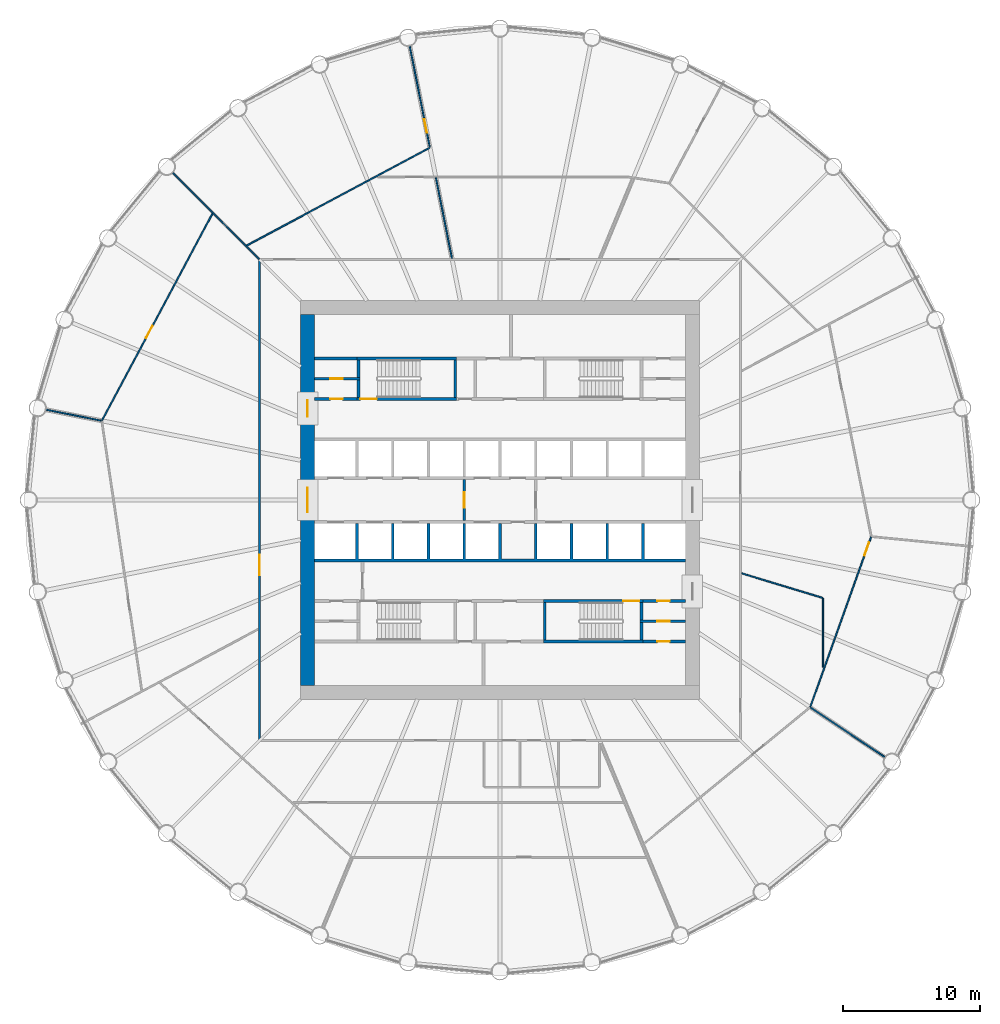
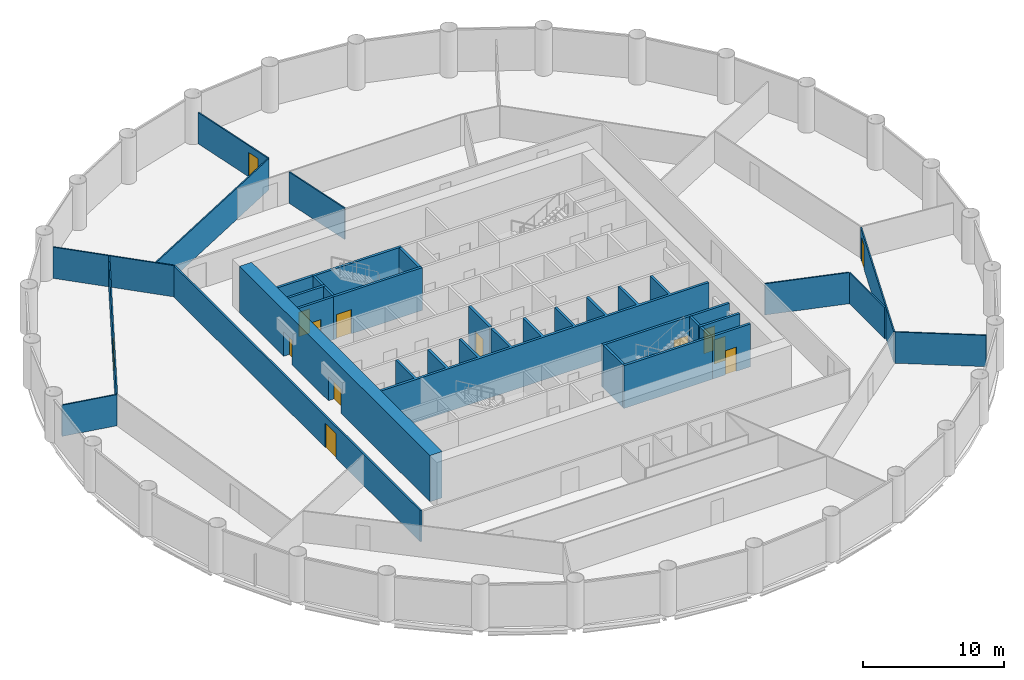
# One storey, part 5 of 8: 30 walls, 14 doors, 14 openings.
"""IFC4 building model written with IfcOpenShell, lengths in metres."""

import ifcopenshell
import ifcopenshell.guid

model = None  # the IFC model being written
_history = None  # IfcOwnerHistory: only IFC2X3 demands one
_inside = {}  # id of a spatial element -> (the spatial element, [elements in it])
_under = {}  # id of a project, library or spatial element -> (it, [spatial elements below it])
_declared = {}  # id of a project -> (the project, [libraries it declares])
_typed = {}  # id of a type object -> (the type object, [elements of that type])
_made_of = {}  # id of a material, layer set ... -> (it, [elements and type objects made of it])


def new_model(schema):
    """Start an empty IFC model of exactly this schema.

    Asked for "IFC4X3", IfcOpenShell would pick the latest addendum, in which some entities
    have other attributes; the version numbers below select the first issue.
    IFC2X3 requires an IfcOwnerHistory on every rooted entity: one is made here for all.
    """
    global model, _history
    if schema == "IFC4X3":
        model = ifcopenshell.file(schema_version=(4, 3, 0, 0))
    else:
        model = ifcopenshell.file(schema=schema)
    _inside.clear()
    _under.clear()
    _declared.clear()
    _typed.clear()
    _made_of.clear()
    _history = None
    if model.schema == "IFC2X3":
        org = make("IfcOrganization", Name="unknown")
        user = make(
            "IfcPersonAndOrganization",
            ThePerson=make("IfcPerson", FamilyName="unknown"),
            TheOrganization=org,
        )
        app = make(
            "IfcApplication",
            ApplicationDeveloper=org,
            Version="unknown",
            ApplicationFullName="unknown",
            ApplicationIdentifier="unknown",
        )
        _history = make(
            "IfcOwnerHistory",
            OwningUser=user,
            OwningApplication=app,
            ChangeAction="ADDED",
            CreationDate=0,
        )
    return model


def make(cls, **values):
    """One entity of the class cls with the attributes given. An attribute that is None is left unset."""
    return model.create_entity(
        cls, **{name: value for name, value in values.items() if value is not None}
    )


def rooted(cls, **values):
    """An entity with a GlobalId (a new one), such as an element, a storey or a relation."""
    return make(cls, GlobalId=ifcopenshell.guid.new(), OwnerHistory=_history, **values)


def si_unit(unit_type, name, prefix=None):
    """IfcSIUnit, for example si_unit("LENGTHUNIT", "METRE", prefix="MILLI")."""
    return make("IfcSIUnit", UnitType=unit_type, Prefix=prefix, Name=name)


def assignment(units):
    """IfcUnitAssignment: the units of a project."""
    return None if units is None else make("IfcUnitAssignment", Units=units)


def point(xyz):
    """IfcCartesianPoint."""
    return None if xyz is None else make("IfcCartesianPoint", Coordinates=xyz)


def direction(xyz):
    """IfcDirection."""
    return None if xyz is None else make("IfcDirection", DirectionRatios=xyz)


def frame(location, z_axis=None, x_axis=None):
    """IfcAxis2Placement3D, a coordinate frame: its origin and axes. An axis left out is left unset."""
    return make(
        "IfcAxis2Placement3D",
        Location=point(location),
        Axis=direction(z_axis),
        RefDirection=direction(x_axis),
    )


def frame_2d(location, x_axis=None):
    """IfcAxis2Placement2D, a coordinate frame in the plane: its origin and x axis."""
    return make(
        "IfcAxis2Placement2D", Location=point(location), RefDirection=direction(x_axis)
    )


def origin():
    """The frame at (0, 0, 0) with its axes left unset."""
    return frame((0.0, 0.0, 0.0))


def place(relative_to, where):
    """IfcLocalPlacement: puts the frame where relative to a parent placement (None: the world)."""
    return make(
        "IfcLocalPlacement", PlacementRelTo=relative_to, RelativePlacement=where
    )


def context(
    kind, dimensions, precision=None, world=None, true_north=None, identifier=None
):
    """IfcGeometricRepresentationContext, for example the 3D "Model" context."""
    return make(
        "IfcGeometricRepresentationContext",
        ContextIdentifier=identifier,
        ContextType=kind,
        CoordinateSpaceDimension=dimensions,
        Precision=precision,
        WorldCoordinateSystem=world,
        TrueNorth=true_north,
    )


def subcontext(parent, identifier, kind, view, scale=None):
    """IfcGeometricRepresentationSubContext, for example "Body" below "Model"."""
    return make(
        "IfcGeometricRepresentationSubContext",
        ContextIdentifier=identifier,
        ContextType=kind,
        ParentContext=parent,
        TargetScale=scale,
        TargetView=view,
    )


def project(units=None, contexts=None):
    """IfcProject with its units and contexts."""
    return rooted(
        "IfcProject",
        Name="project",
        RepresentationContexts=contexts,
        UnitsInContext=assignment(units),
    )


def spatial(cls, under=None, at=None, **own):
    """A site, building, storey or space (cls), placed at a placement, below another one or the project."""
    s = rooted(cls, ObjectPlacement=at, **own)
    if under is not None:
        _under.setdefault(under.id(), (under, []))[1].append(s)
    return s


def polyline(points):
    """IfcPolyline through the points."""
    return make("IfcPolyline", Points=[point(p) for p in points])


def profile(cls, at=None, kind="AREA", **sizes):
    """A parametric profile (cls). Its sizes go by their IFC names, for example OverallWidth=200.0."""
    return make(cls, ProfileType=kind, Position=at, **sizes)


def rectangle(**sizes):
    """IfcRectangleProfileDef."""
    return profile("IfcRectangleProfileDef", **sizes)


def outline(outer, holes=None, kind="AREA"):
    """IfcArbitraryClosedProfileDef: a profile drawn as a closed curve; with holes, ...WithVoids."""
    if holes is None:
        return make("IfcArbitraryClosedProfileDef", ProfileType=kind, OuterCurve=outer)
    return make(
        "IfcArbitraryProfileDefWithVoids",
        ProfileType=kind,
        OuterCurve=outer,
        InnerCurves=holes,
    )


def extrude(swept, where, along, depth):
    """IfcExtrudedAreaSolid: the profile swept, set in the frame where, extruded along a direction by depth."""
    return make(
        "IfcExtrudedAreaSolid",
        SweptArea=swept,
        Position=where,
        ExtrudedDirection=direction(along),
        Depth=depth,
    )


def shape(context_of_items, identifier, shape_type, items):
    """IfcShapeRepresentation: the items that make up one representation, for example the "Body"."""
    return make(
        "IfcShapeRepresentation",
        ContextOfItems=context_of_items,
        RepresentationIdentifier=identifier,
        RepresentationType=shape_type,
        Items=items,
    )


def material(Name=None, Category=None):
    """IfcMaterial."""
    return make("IfcMaterial", Name=Name, Category=Category)


def layer(
    of_material, thickness, ventilated=None, Name=None, Category=None, Priority=None
):
    """IfcMaterialLayer: one layer of a wall or slab, of a material (None: an air gap)."""
    return make(
        "IfcMaterialLayer",
        Material=of_material,
        LayerThickness=thickness,
        IsVentilated=ventilated,
        Name=Name,
        Category=Category,
        Priority=Priority,
    )


def layer_set(layers, Name=None):
    """IfcMaterialLayerSet."""
    return make("IfcMaterialLayerSet", MaterialLayers=layers, LayerSetName=Name)


def made_of(thing, what):
    """Note that an element or type object is made of a material, layer set ...; save() writes the relation."""
    if what is not None:
        _made_of.setdefault(what.id(), (what, []))[1].append(thing)
    return thing


def type_object(cls, material=None, **own):
    """A type object (cls), such as IfcWallType, which elements share."""
    return made_of(rooted(cls, **own), material)


def element(
    cls,
    number,
    at=None,
    inside=None,
    cuts=None,
    type_object=None,
    material=None,
    context=None,
    identifier="Body",
    shape_type=None,
    held_by="IfcProductDefinitionShape",
    body=None,
    shapes=None,
    **own,
):
    """One element of the class cls, such as IfcWall. Its Tag is "e" and its number.

    at: its placement. inside: the storey or other place that contains it. cuts: it is an
    opening in that element (IfcRelVoidsElement). A single representation is given by context,
    identifier, shape_type and body (its items); several are given by shapes. held_by: the class
    of the entity that holds the representations. save() writes the other relations.
    """
    e = rooted(cls, Tag="e%d" % number, ObjectPlacement=at, **own)
    if body is not None:
        shapes = [shape(context, identifier, shape_type, body)]
    if shapes is not None:
        e.Representation = make(held_by, Representations=shapes)
    if inside is not None:
        _inside.setdefault(inside.id(), (inside, []))[1].append(e)
    if cuts is not None:
        rooted(
            "IfcRelVoidsElement", RelatingBuildingElement=cuts, RelatedOpeningElement=e
        )
    if type_object is not None:
        _typed.setdefault(type_object.id(), (type_object, []))[1].append(e)
    return made_of(e, material)


def fill(opening, filler):
    """IfcRelFillsElement: the door or window that sits in an opening."""
    return rooted(
        "IfcRelFillsElement",
        RelatingOpeningElement=opening,
        RelatedBuildingElement=filler,
    )


def aggregate(whole, parts):
    """IfcRelAggregates: a whole, such as a stair, and the parts it consists of."""
    return rooted("IfcRelAggregates", RelatingObject=whole, RelatedObjects=parts)


def save(model, path):
    """Write the relations noted so far, then the file.

    IfcRelAggregates (storeys below a building ...), IfcRelContainedInSpatialStructure (elements
    in a storey), IfcRelDefinesByType, IfcRelAssociatesMaterial and IfcRelDeclares: one each for
    every whole, place, type object, material and project.
    """
    for whole, parts in _under.values():
        aggregate(whole, parts)
    for where, things in _inside.values():
        rooted(
            "IfcRelContainedInSpatialStructure",
            RelatedElements=things,
            RelatingStructure=where,
        )
    for kind, things in _typed.values():
        rooted("IfcRelDefinesByType", RelatedObjects=things, RelatingType=kind)
    for what, things in _made_of.values():
        rooted("IfcRelAssociatesMaterial", RelatedObjects=things, RelatingMaterial=what)
    for by, libraries in _declared.values():
        rooted("IfcRelDeclares", RelatingContext=by, RelatedDefinitions=libraries)
    model.write(path)


model = new_model("IFC4")

# Units and contexts
model_context = context("Model", 3, precision=1e-05, world=origin(), true_north=direction((0.0, 1.0)))
body_context = subcontext(model_context, "Body", "Model", "MODEL_VIEW")
ifc_project = project(units=[si_unit("LENGTHUNIT", "METRE"), si_unit("AREAUNIT", "SQUARE_METRE"), si_unit("VOLUMEUNIT", "CUBIC_METRE"), si_unit("PLANEANGLEUNIT", "RADIAN"), si_unit("MASSUNIT", "GRAM", prefix="KILO")], contexts=[model_context])

# Site, building, storey
site_placement = place(None, origin())
site = spatial("IfcSite", under=ifc_project, at=site_placement, CompositionType="ELEMENT")
building_placement = place(site_placement, origin())
building = spatial("IfcBuilding", under=site, at=building_placement, Name="Corvane Civic Tower", CompositionType="ELEMENT")
storey_placement = place(building_placement, frame((0.0, 0.0, 110.5)))
storey = spatial("IfcBuildingStorey", under=building, at=storey_placement, Name="L25", CompositionType="ELEMENT", Elevation=110.5)

# Wall, openings, doors
ifc_material_1 = material(Name="Concrete C70/85", Category="concrete")
ifc_layer_1 = layer(ifc_material_1, 1.0)
ifc_layer_set_1 = layer_set([ifc_layer_1], Name="Concrete C70/85")
wall_type_1 = type_object("IfcWallType", Name="CORE WALL 1000 C70/85", PredefinedType="SHEAR", material=ifc_layer_set_1)
wall_1_placement = place(storey_placement, frame((-14.0, -13.5, 0.0), z_axis=(0.0, 0.0, 1.0), x_axis=(0.0, 1.0, 0.0)))
wall_1 = element("IfcWall", 1, at=wall_1_placement, inside=storey, type_object=wall_type_1, Name="W-L25-core-W", PredefinedType="SHEAR", context=body_context, shape_type="SweptSolid", body=[
    extrude(rectangle(XDim=27.0, YDim=1.0, at=frame_2d((13.5, 0.0))), origin(), (0.0, 0.0, 1.0), 4.0),
])
opening_1_placement = place(wall_1_placement, frame((12.60009765625, 0.0, 0.0)))
opening_1 = element("IfcOpeningElement", 2, at=opening_1_placement, cuts=wall_1, Name="Opening L25.C27", PredefinedType="OPENING", context=body_context, shape_type="SweptSolid", body=[
    extrude(rectangle(XDim=1.800048828125, YDim=2.10009765625, at=frame_2d((0.89990234375, 1.050048828125))), frame((0.0, 0.510009765625, 0.0), z_axis=(0.0, -1.0, 0.0), x_axis=(1.0, 0.0, 0.0)), (0.0, 0.0, 1.0), 1.02001953125),
])
opening_2_placement = place(wall_1_placement, frame((19.550048828125, 0.0, 0.0)))
opening_2 = element("IfcOpeningElement", 3, at=opening_2_placement, cuts=wall_1, Name="Opening L25.C29", PredefinedType="OPENING", context=body_context, shape_type="SweptSolid", body=[
    extrude(rectangle(XDim=1.199951171875, YDim=2.10009765625, at=frame_2d((0.60009765625, 1.050048828125))), frame((0.0, 0.510009765625, 0.0), z_axis=(0.0, -1.0, 0.0), x_axis=(1.0, 0.0, 0.0)), (0.0, 0.0, 1.0), 1.02001953125),
])
ifc_material_2 = material(Name="Steel fire door leaf", Category="steel")
door_type_1 = type_object("IfcDoorType", Name="CR-DOOR-CORE-1800", OperationType="DOUBLE_DOOR_SINGLE_SWING", PredefinedType="DOOR", material=ifc_material_2)
door_1_placement = place(opening_1_placement, origin())
door_1 = element("IfcDoor", 4, at=door_1_placement, inside=storey, type_object=door_type_1, Name="L25 door", OperationType="DOUBLE_DOOR_SINGLE_SWING", OverallHeight=2.10009765625, OverallWidth=1.800048828125, PredefinedType="DOOR", context=body_context, shape_type="SweptSolid", body=[
    extrude(rectangle(XDim=1.800048828125, YDim=2.10009765625, at=frame_2d((0.89990234375, 1.050048828125))), frame((0.0, 0.02490234375, 0.0), z_axis=(0.0, -1.0, 0.0), x_axis=(1.0, 0.0, 0.0)), (0.0, 0.0, 1.0), 0.050048828125),
])
fill(opening_1, door_1)
door_2_placement = place(opening_2_placement, origin())
door_2 = element("IfcDoor", 5, at=door_2_placement, inside=storey, type_object=door_type_1, Name="L25 door", OperationType="DOUBLE_DOOR_SINGLE_SWING", OverallHeight=2.10009765625, OverallWidth=1.199951171875, PredefinedType="DOOR", context=body_context, shape_type="SweptSolid", body=[
    extrude(rectangle(XDim=1.199951171875, YDim=2.10009765625, at=frame_2d((0.60009765625, 1.050048828125))), frame((0.0, 0.02490234375, 0.0), z_axis=(0.0, -1.0, 0.0), x_axis=(1.0, 0.0, 0.0)), (0.0, 0.0, 1.0), 0.050048828125),
])
fill(opening_2, door_2)

# Wall, opening, door
ifc_material_3 = material(Name="Concrete C30/37", Category="concrete")
ifc_layer_2 = layer(ifc_material_3, 0.199951171875)
ifc_layer_set_2 = layer_set([ifc_layer_2], Name="Concrete C30/37")
wall_type_2 = type_object("IfcWallType", Name="CR-WALL-200", PredefinedType="PARTITIONING", material=ifc_layer_set_2)
wall_2_placement = place(storey_placement, frame((10.39990234375, -10.300048828125, 0.0), z_axis=(0.0, 0.0, 1.0), x_axis=(1.0, 0.0, 0.0)))
wall_2 = element("IfcWall", 6, at=wall_2_placement, inside=storey, type_object=wall_type_2, Name="L25 partition wall", PredefinedType="PARTITIONING", context=body_context, shape_type="SweptSolid", body=[
    extrude(rectangle(XDim=3.10009765625, YDim=0.199951171875, at=frame_2d((1.550048828125, 0.0))), origin(), (0.0, 0.0, 1.0), 3.699951171875),
])
opening_3_placement = place(wall_2_placement, frame((1.050048828125, 0.0, 0.0)))
opening_3 = element("IfcOpeningElement", 7, at=opening_3_placement, cuts=wall_2, Name="Opening L25.C19", PredefinedType="OPENING", context=body_context, shape_type="SweptSolid", body=[
    extrude(rectangle(XDim=0.89990234375, YDim=2.10009765625, at=frame_2d((0.449951171875, 1.050048828125))), frame((0.0, 0.10986328125, 0.0), z_axis=(0.0, -1.0, 0.0), x_axis=(1.0, 0.0, 0.0)), (0.0, 0.0, 1.0), 0.219970703125),
])
ifc_material_4 = material(Name="Steel fire door leaf", Category="steel")
door_type_2 = type_object("IfcDoorType", Name="CR-DOOR-900", OperationType="SINGLE_SWING_LEFT", PredefinedType="DOOR", material=ifc_material_4)
door_3_placement = place(opening_3_placement, origin())
door_3 = element("IfcDoor", 8, at=door_3_placement, inside=storey, type_object=door_type_2, Name="L25 door", OperationType="SINGLE_SWING_LEFT", OverallHeight=2.10009765625, OverallWidth=0.89990234375, PredefinedType="DOOR", context=body_context, shape_type="SweptSolid", body=[
    extrude(rectangle(XDim=0.89990234375, YDim=2.10009765625, at=frame_2d((0.449951171875, 1.050048828125))), frame((0.0, 0.02490234375, 0.0), z_axis=(0.0, -1.0, 0.0), x_axis=(1.0, 0.0, 0.0)), (0.0, 0.0, 1.0), 0.050048828125),
])
fill(opening_3, door_3)

wall_3_placement = place(storey_placement, frame((10.199951171875, -8.824951171875, 0.0), z_axis=(0.0, 0.0, 1.0), x_axis=(1.0, 0.0, 0.0)))
wall_3 = element("IfcWall", 9, at=wall_3_placement, inside=storey, type_object=wall_type_2, Name="L25 partition wall", PredefinedType="PARTITIONING", context=body_context, shape_type="SweptSolid", body=[
    extrude(rectangle(XDim=3.300048828125, YDim=0.199951171875, at=frame_2d((1.64990234375, 0.0))), origin(), (0.0, 0.0, 1.0), 3.699951171875),
])
opening_4_placement = place(wall_3_placement, frame((1.25, 0.0, 0.0)))
opening_4 = element("IfcOpeningElement", 10, at=opening_4_placement, cuts=wall_3, Name="Opening L25.C18", PredefinedType="OPENING", context=body_context, shape_type="SweptSolid", body=[
    extrude(rectangle(XDim=0.89990234375, YDim=2.10009765625, at=frame_2d((0.449951171875, 1.050048828125))), frame((0.0, 0.10986328125, 0.0), z_axis=(0.0, -1.0, 0.0), x_axis=(1.0, 0.0, 0.0)), (0.0, 0.0, 1.0), 0.219970703125),
])
door_4_placement = place(opening_4_placement, origin())
door_4 = element("IfcDoor", 11, at=door_4_placement, inside=storey, type_object=door_type_2, Name="L25 door", OperationType="SINGLE_SWING_LEFT", OverallHeight=2.10009765625, OverallWidth=0.89990234375, PredefinedType="DOOR", context=body_context, shape_type="SweptSolid", body=[
    extrude(rectangle(XDim=0.89990234375, YDim=2.10009765625, at=frame_2d((0.449951171875, 1.050048828125))), frame((0.0, 0.02490234375, 0.0), z_axis=(0.0, -1.0, 0.0), x_axis=(1.0, 0.0, 0.0)), (0.0, 0.0, 1.0), 0.050048828125),
])
fill(opening_4, door_4)

wall_4_placement = place(storey_placement, frame((10.39990234375, -7.35009765625, 0.0), z_axis=(0.0, 0.0, 1.0), x_axis=(1.0, 0.0, 0.0)))
wall_4 = element("IfcWall", 12, at=wall_4_placement, inside=storey, type_object=wall_type_2, Name="L25 core partition wall", PredefinedType="PARTITIONING", context=body_context, shape_type="SweptSolid", body=[
    extrude(rectangle(XDim=3.10009765625, YDim=0.199951171875, at=frame_2d((1.550048828125, 0.0))), origin(), (0.0, 0.0, 1.0), 3.699951171875),
])
opening_5_placement = place(wall_4_placement, frame((1.050048828125, 0.0, 0.0)))
opening_5 = element("IfcOpeningElement", 13, at=opening_5_placement, cuts=wall_4, Name="Opening L25.C17", PredefinedType="OPENING", context=body_context, shape_type="SweptSolid", body=[
    extrude(rectangle(XDim=0.89990234375, YDim=2.10009765625, at=frame_2d((0.449951171875, 1.050048828125))), frame((0.0, 0.10986328125, 0.0), z_axis=(0.0, -1.0, 0.0), x_axis=(1.0, 0.0, 0.0)), (0.0, 0.0, 1.0), 0.219970703125),
])
door_5_placement = place(opening_5_placement, origin())
door_5 = element("IfcDoor", 14, at=door_5_placement, inside=storey, type_object=door_type_2, Name="L25 door", OperationType="SINGLE_SWING_LEFT", OverallHeight=2.10009765625, OverallWidth=0.89990234375, PredefinedType="DOOR", context=body_context, shape_type="SweptSolid", body=[
    extrude(rectangle(XDim=0.89990234375, YDim=2.10009765625, at=frame_2d((0.449951171875, 1.050048828125))), frame((0.0, 0.02490234375, 0.0), z_axis=(0.0, -1.0, 0.0), x_axis=(1.0, 0.0, 0.0)), (0.0, 0.0, 1.0), 0.050048828125),
])
fill(opening_5, door_5)

wall_5_placement = place(storey_placement, frame((-13.5, 7.35009765625, 0.0), z_axis=(0.0, 0.0, 1.0), x_axis=(1.0, 0.0, 0.0)))
wall_5 = element("IfcWall", 15, at=wall_5_placement, inside=storey, type_object=wall_type_2, Name="L25 core partition wall", PredefinedType="PARTITIONING", context=body_context, shape_type="SweptSolid", body=[
    extrude(rectangle(XDim=3.10009765625, YDim=0.199951171875, at=frame_2d((1.550048828125, 0.0))), origin(), (0.0, 0.0, 1.0), 3.699951171875),
])
opening_6_placement = place(wall_5_placement, frame((1.14990234375, 0.0, 0.0)))
opening_6 = element("IfcOpeningElement", 16, at=opening_6_placement, cuts=wall_5, Name="Opening L25.C10", PredefinedType="OPENING", context=body_context, shape_type="SweptSolid", body=[
    extrude(rectangle(XDim=0.89990234375, YDim=2.10009765625, at=frame_2d((0.449951171875, 1.050048828125))), frame((0.0, 0.10986328125, 0.0), z_axis=(0.0, -1.0, 0.0), x_axis=(1.0, 0.0, 0.0)), (0.0, 0.0, 1.0), 0.219970703125),
])
door_6_placement = place(opening_6_placement, origin())
door_6 = element("IfcDoor", 17, at=door_6_placement, inside=storey, type_object=door_type_2, Name="L25 door", OperationType="SINGLE_SWING_LEFT", OverallHeight=2.10009765625, OverallWidth=0.89990234375, PredefinedType="DOOR", context=body_context, shape_type="SweptSolid", body=[
    extrude(rectangle(XDim=0.89990234375, YDim=2.10009765625, at=frame_2d((0.449951171875, 1.050048828125))), frame((0.0, 0.02490234375, 0.0), z_axis=(0.0, -1.0, 0.0), x_axis=(1.0, 0.0, 0.0)), (0.0, 0.0, 1.0), 0.050048828125),
])
fill(opening_6, door_6)

wall_6_placement = place(storey_placement, frame((-13.5, 8.824951171875, 0.0), z_axis=(0.0, 0.0, 1.0), x_axis=(1.0, 0.0, 0.0)))
wall_6 = element("IfcWall", 18, at=wall_6_placement, inside=storey, type_object=wall_type_2, Name="L25 partition wall", PredefinedType="PARTITIONING", context=body_context, shape_type="SweptSolid", body=[
    extrude(rectangle(XDim=3.300048828125, YDim=0.199951171875, at=frame_2d((1.64990234375, 0.0))), origin(), (0.0, 0.0, 1.0), 3.699951171875),
])
opening_7_placement = place(wall_6_placement, frame((1.14990234375, 0.0, 0.0)))
opening_7 = element("IfcOpeningElement", 19, at=opening_7_placement, cuts=wall_6, Name="Opening L25.C11", PredefinedType="OPENING", context=body_context, shape_type="SweptSolid", body=[
    extrude(rectangle(XDim=0.89990234375, YDim=2.10009765625, at=frame_2d((0.449951171875, 1.050048828125))), frame((0.0, 0.10986328125, 0.0), z_axis=(0.0, -1.0, 0.0), x_axis=(1.0, 0.0, 0.0)), (0.0, 0.0, 1.0), 0.219970703125),
])
door_7_placement = place(opening_7_placement, origin())
door_7 = element("IfcDoor", 20, at=door_7_placement, inside=storey, type_object=door_type_2, Name="L25 door", OperationType="SINGLE_SWING_LEFT", OverallHeight=2.10009765625, OverallWidth=0.89990234375, PredefinedType="DOOR", context=body_context, shape_type="SweptSolid", body=[
    extrude(rectangle(XDim=0.89990234375, YDim=2.10009765625, at=frame_2d((0.449951171875, 1.050048828125))), frame((0.0, 0.02490234375, 0.0), z_axis=(0.0, -1.0, 0.0), x_axis=(1.0, 0.0, 0.0)), (0.0, 0.0, 1.0), 0.050048828125),
])
fill(opening_7, door_7)

wall_7_placement = place(storey_placement, frame((-2.60009765625, -1.5, 0.0), z_axis=(0.0, 0.0, 1.0), x_axis=(0.0, 1.0, 0.0)))
wall_7 = element("IfcWall", 21, at=wall_7_placement, inside=storey, type_object=wall_type_2, Name="L25 firefighting lobby wall", PredefinedType="PARTITIONING", context=body_context, shape_type="SweptSolid", body=[
    extrude(rectangle(XDim=3.0, YDim=0.199951171875, at=frame_2d((1.5, 0.0))), origin(), (0.0, 0.0, 1.0), 3.699951171875),
])
opening_8_placement = place(wall_7_placement, frame((0.949951171875, 0.0, 0.0)))
opening_8 = element("IfcOpeningElement", 22, at=opening_8_placement, cuts=wall_7, Name="Opening L25.C24", PredefinedType="OPENING", context=body_context, shape_type="SweptSolid", body=[
    extrude(rectangle(XDim=1.10009765625, YDim=2.10009765625, at=frame_2d((0.550048828125, 1.050048828125))), frame((0.0, 0.10986328125, 0.0), z_axis=(0.0, -1.0, 0.0), x_axis=(1.0, 0.0, 0.0)), (0.0, 0.0, 1.0), 0.219970703125),
])
ifc_material_5 = material(Name="Steel fire door leaf", Category="steel")
door_type_3 = type_object("IfcDoorType", Name="CR-DOOR-FFL-1100", OperationType="SINGLE_SWING_LEFT", PredefinedType="DOOR", material=ifc_material_5)
door_8_placement = place(opening_8_placement, origin())
door_8 = element("IfcDoor", 23, at=door_8_placement, inside=storey, type_object=door_type_3, Name="L25 lobby door", OperationType="SINGLE_SWING_LEFT", OverallHeight=2.10009765625, OverallWidth=1.10009765625, PredefinedType="DOOR", context=body_context, shape_type="SweptSolid", body=[
    extrude(rectangle(XDim=1.10009765625, YDim=2.10009765625, at=frame_2d((0.550048828125, 1.050048828125))), frame((0.0, 0.02490234375, 0.0), z_axis=(0.0, -1.0, 0.0), x_axis=(1.0, 0.0, 0.0)), (0.0, 0.0, 1.0), 0.050048828125),
])
fill(opening_8, door_8)

# Walls
wall_8_placement = place(storey_placement, origin())
element("IfcWall", 24, at=wall_8_placement, inside=storey, type_object=wall_type_2, Name="L25 core partition wall", PredefinedType="PARTITIONING", context=body_context, shape_type="SweptSolid", body=[
    extrude(outline(polyline([(-13.5, 10.199951171875), (-13.5, 10.39990234375), (-10.39990234375, 10.39990234375), (-10.39990234375, 10.199951171875), (-13.5, 10.199951171875)])), origin(), (0.0, 0.0, 1.0), 3.699951171875),
])
wall_9_placement = place(storey_placement, origin())
element("IfcWall", 25, at=wall_9_placement, inside=storey, type_object=wall_type_2, Name="L25 core partition wall", PredefinedType="PARTITIONING", context=body_context, shape_type="SweptSolid", body=[
    extrude(outline(polyline([(-10.300048828125, -1.699951171875), (-10.300048828125, -4.300048828125), (-7.89990234375, -4.300048828125), (-7.89990234375, -1.699951171875), (-7.699951171875, -1.699951171875), (-7.699951171875, -4.300048828125), (-5.300048828125, -4.300048828125), (-5.300048828125, -1.699951171875), (-5.10009765625, -1.699951171875), (-5.10009765625, -4.300048828125), (-2.699951171875, -4.300048828125), (-2.699951171875, -1.699951171875), (-2.5, -1.699951171875), (-2.5, -4.300048828125), (-0.10009765625, -4.300048828125), (-0.10009765625, -1.699951171875), (0.10009765625, -1.699951171875), (0.10009765625, -4.300048828125), (2.5, -4.300048828125), (2.5, -1.699951171875), (2.699951171875, -1.699951171875), (2.699951171875, -4.300048828125), (5.10009765625, -4.300048828125), (5.10009765625, -1.699951171875), (5.300048828125, -1.699951171875), (5.300048828125, -4.300048828125), (7.699951171875, -4.300048828125), (7.699951171875, -1.699951171875), (7.89990234375, -1.699951171875), (7.89990234375, -4.300048828125), (10.300048828125, -4.300048828125), (10.300048828125, -1.699951171875), (10.5, -1.699951171875), (10.5, -4.300048828125), (13.5, -4.300048828125), (13.5, -4.5), (-13.5, -4.5), (-13.5, -4.300048828125), (-10.5, -4.300048828125), (-10.5, -1.699951171875), (-10.300048828125, -1.699951171875)])), origin(), (0.0, 0.0, 1.0), 3.699951171875),
])
ifc_material_6 = material(Name="Plasterboard")
ifc_layer_3 = layer(ifc_material_6, 0.10009765625)
ifc_layer_set_3 = layer_set([ifc_layer_3], Name="Plasterboard")
wall_type_3 = type_object("IfcWallType", Name="Partition 100 plasterboard on studs", PredefinedType="PARTITIONING", material=ifc_layer_set_3)
wall_10_placement = place(storey_placement, frame((22.599609375, -15.1005859375, 0.0), z_axis=(0.0, 0.0, 1.0), x_axis=(0.831464833466, -0.555577384988, 0.0)))
element("IfcWall", 26, at=wall_10_placement, inside=storey, type_object=wall_type_3, Name="Partition L25.012", PredefinedType="PARTITIONING", context=body_context, shape_type="SweptSolid", body=[
    extrude(rectangle(XDim=6.48486328125, YDim=0.10009765625, at=frame_2d((3.242431640625, 0.0))), origin(), (0.0, 0.0, 1.0), 2.699951171875),
])

# Wall, opening, door
wall_11_placement = place(storey_placement, frame((22.580322265625, -15.042236328125, 0.0), z_axis=(0.0, 0.0, 1.0), x_axis=(0.336893087006, 0.941542908171, 0.0)))
wall_11 = element("IfcWall", 27, at=wall_11_placement, inside=storey, type_object=wall_type_3, Name="Partition L25.017", PredefinedType="PARTITIONING", context=body_context, shape_type="SweptSolid", body=[
    extrude(rectangle(XDim=13.111572265625, YDim=0.10009765625, at=frame_2d((6.5556640625, 0.0))), origin(), (0.0, 0.0, 1.0), 2.699951171875),
])
opening_9_placement = place(wall_11_placement, frame((11.68359375, 0.0, 0.0)))
opening_9 = element("IfcOpeningElement", 28, at=opening_9_placement, cuts=wall_11, Name="Opening L25.018", PredefinedType="OPENING", context=body_context, shape_type="SweptSolid", body=[
    extrude(rectangle(XDim=1.0, YDim=2.10009765625, at=frame_2d((0.5, 1.050048828125))), frame((0.0, 0.06005859375, 0.0), z_axis=(0.0, -1.0, 0.0), x_axis=(1.0, 0.0, 0.0)), (0.0, 0.0, 1.0), 0.1201171875),
])
ifc_material_7 = material(Name="Timber", Category="wood")
door_type_4 = type_object("IfcDoorType", Name="Single door 1000", OperationType="NOTDEFINED", PredefinedType="DOOR", material=ifc_material_7)
door_9_placement = place(opening_9_placement, frame((1.0, 0.0, 0.0), z_axis=(0.0, 0.0, 1.0), x_axis=(-1.0, 0.0, 0.0)))
door_9 = element("IfcDoor", 29, at=door_9_placement, inside=storey, type_object=door_type_4, Name="Door L25.018", OperationType="SINGLE_SWING_LEFT", OverallHeight=2.10009765625, OverallWidth=1.0, PredefinedType="DOOR", context=body_context, shape_type="SweptSolid", body=[
    extrude(rectangle(XDim=1.0, YDim=2.10009765625, at=frame_2d((0.5, 1.050048828125))), frame((0.0, 0.02490234375, 0.0), z_axis=(0.0, -1.0, 0.0), x_axis=(1.0, 0.0, 0.0)), (0.0, 0.0, 1.0), 0.050048828125),
])
fill(opening_9, door_9)

# Walls
wall_12_placement = place(storey_placement, frame((23.5, -12.18359375, 0.0), z_axis=(0.0, 0.0, 1.0), x_axis=(0.0, 1.0, 0.0)))
element("IfcWall", 30, at=wall_12_placement, inside=storey, type_object=wall_type_3, Name="Partition L25.019", PredefinedType="PARTITIONING", context=body_context, shape_type="SweptSolid", body=[
    extrude(rectangle(XDim=5.017822265625, YDim=0.10009765625, at=frame_2d((2.5087890625, 0.0))), origin(), (0.0, 0.0, 1.0), 2.699951171875),
])
wall_13_placement = place(storey_placement, frame((17.589599609375, -5.335693359375, 0.0), z_axis=(0.0, 0.0, 1.0), x_axis=(0.95693740388, -0.290294342101, 0.0)))
element("IfcWall", 31, at=wall_13_placement, inside=storey, type_object=wall_type_3, Name="Partition L25.020", PredefinedType="PARTITIONING", context=body_context, shape_type="SweptSolid", body=[
    extrude(rectangle(XDim=6.139404296875, YDim=0.10009765625, at=frame_2d((3.06982421875, 0.0))), origin(), (0.0, 0.0, 1.0), 2.699951171875),
])
wall_14_placement = place(storey_placement, frame((-33.01806640625, 6.567626953125, 0.0), z_axis=(0.0, 0.0, 1.0), x_axis=(0.980787080793, -0.195081270627, 0.0)))
element("IfcWall", 32, at=wall_14_placement, inside=storey, type_object=wall_type_3, Name="Partition L25.023", PredefinedType="PARTITIONING", context=body_context, shape_type="SweptSolid", body=[
    extrude(rectangle(XDim=4.08349609375, YDim=0.10009765625, at=frame_2d((2.041748046875, 0.0))), origin(), (0.0, 0.0, 1.0), 2.699951171875),
])

# Wall, opening, door
wall_15_placement = place(storey_placement, frame((-28.958984375, 5.79638671875, 0.0), z_axis=(0.0, 0.0, 1.0), x_axis=(0.471398972492, 0.881920069356, 0.0)))
wall_15 = element("IfcWall", 33, at=wall_15_placement, inside=storey, type_object=wall_type_3, Name="Partition L25.024", PredefinedType="PARTITIONING", context=body_context, shape_type="SweptSolid", body=[
    extrude(rectangle(XDim=17.0478515625, YDim=0.10009765625, at=frame_2d((8.52392578125, 0.0))), origin(), (0.0, 0.0, 1.0), 2.699951171875),
])
opening_10_placement = place(wall_15_placement, frame((6.794921875, 0.0, 0.0)))
opening_10 = element("IfcOpeningElement", 34, at=opening_10_placement, cuts=wall_15, Name="Opening L25.009", PredefinedType="OPENING", context=body_context, shape_type="SweptSolid", body=[
    extrude(rectangle(XDim=1.0, YDim=2.10009765625, at=frame_2d((0.5, 1.050048828125))), frame((0.0, 0.06005859375, 0.0), z_axis=(0.0, -1.0, 0.0), x_axis=(1.0, 0.0, 0.0)), (0.0, 0.0, 1.0), 0.1201171875),
])
door_10_placement = place(opening_10_placement, origin())
door_10 = element("IfcDoor", 35, at=door_10_placement, inside=storey, type_object=door_type_4, Name="Door L25.009", OperationType="SINGLE_SWING_LEFT", OverallHeight=2.10009765625, OverallWidth=1.0, PredefinedType="DOOR", context=body_context, shape_type="SweptSolid", body=[
    extrude(rectangle(XDim=1.0, YDim=2.10009765625, at=frame_2d((0.5, 1.050048828125))), frame((0.0, 0.02490234375, 0.0), z_axis=(0.0, -1.0, 0.0), x_axis=(1.0, 0.0, 0.0)), (0.0, 0.0, 1.0), 0.050048828125),
])
fill(opening_10, door_10)

# Walls
wall_16_placement = place(storey_placement, frame((-23.8046875, 23.8046875, 0.0), z_axis=(0.0, 0.0, 1.0), x_axis=(0.707106781187, -0.707106781187, 0.0)))
element("IfcWall", 36, at=wall_16_placement, inside=storey, type_object=wall_type_3, Name="Partition L25.028", PredefinedType="PARTITIONING", context=body_context, shape_type="SweptSolid", body=[
    extrude(rectangle(XDim=8.8955078125, YDim=0.10009765625, at=frame_2d((4.44775390625, 0.0))), origin(), (0.0, 0.0, 1.0), 2.699951171875),
])
wall_17_placement = place(storey_placement, frame((-4.66259765625, 23.440185546875, 0.0), z_axis=(0.0, 0.0, 1.0), x_axis=(0.195101563709, -0.980783044225, 0.0)))
element("IfcWall", 37, at=wall_17_placement, inside=storey, type_object=wall_type_3, Name="Partition L25.029", PredefinedType="PARTITIONING", context=body_context, shape_type="SweptSolid", body=[
    extrude(rectangle(XDim=5.97021484375, YDim=0.10009765625, at=frame_2d((2.985107421875, 0.0))), origin(), (0.0, 0.0, 1.0), 2.699951171875),
])
wall_18_placement = place(storey_placement, frame((-18.42431640625, 18.515625, 0.0), z_axis=(0.0, 0.0, 1.0), x_axis=(0.881920754461, 0.471397690757, 0.0)))
element("IfcWall", 38, at=wall_18_placement, inside=storey, type_object=wall_type_3, Name="Partition L25.031", PredefinedType="PARTITIONING", context=body_context, shape_type="SweptSolid", body=[
    extrude(rectangle(XDim=15.071533203125, YDim=0.10009765625, at=frame_2d((7.53564453125, 0.0))), origin(), (0.0, 0.0, 1.0), 2.699951171875),
])

# Wall, opening, door
wall_19_placement = place(storey_placement, frame((-6.56787109375, 33.01806640625, 0.0), z_axis=(0.0, 0.0, 1.0), x_axis=(0.195112778797, -0.980780813205, 0.0)))
wall_19 = element("IfcWall", 39, at=wall_19_placement, inside=storey, type_object=wall_type_3, Name="Partition L25.035", PredefinedType="PARTITIONING", context=body_context, shape_type="SweptSolid", body=[
    extrude(rectangle(XDim=7.487548828125, YDim=0.10009765625, at=frame_2d((3.74365234375, 0.0))), origin(), (0.0, 0.0, 1.0), 2.699951171875),
])
opening_11_placement = place(wall_19_placement, frame((5.41845703125, 0.0, 0.0)))
opening_11 = element("IfcOpeningElement", 40, at=opening_11_placement, cuts=wall_19, Name="Opening L25.011", PredefinedType="OPENING", context=body_context, shape_type="SweptSolid", body=[
    extrude(rectangle(XDim=1.0, YDim=2.10009765625, at=frame_2d((0.5, 1.050048828125))), frame((0.0, 0.06005859375, 0.0), z_axis=(0.0, -1.0, 0.0), x_axis=(1.0, 0.0, 0.0)), (0.0, 0.0, 1.0), 0.1201171875),
])
door_11_placement = place(opening_11_placement, frame((1.0, 0.0, 0.0), z_axis=(0.0, 0.0, 1.0), x_axis=(-1.0, 0.0, 0.0)))
door_11 = element("IfcDoor", 41, at=door_11_placement, inside=storey, type_object=door_type_4, Name="Door L25.011", OperationType="SINGLE_SWING_LEFT", OverallHeight=2.10009765625, OverallWidth=1.0, PredefinedType="DOOR", context=body_context, shape_type="SweptSolid", body=[
    extrude(rectangle(XDim=1.0, YDim=2.10009765625, at=frame_2d((0.5, 1.050048828125))), frame((0.0, 0.02490234375, 0.0), z_axis=(0.0, -1.0, 0.0), x_axis=(1.0, 0.0, 0.0)), (0.0, 0.0, 1.0), 0.050048828125),
])
fill(opening_11, door_11)

ifc_material_8 = material(Name="Concrete C50/60", Category="concrete")
ifc_layer_4 = layer(ifc_material_8, 0.199951171875)
ifc_layer_set_4 = layer_set([ifc_layer_4], Name="Concrete C50/60")
wall_type_4 = type_object("IfcWallType", Name="ST-WALL-200", PredefinedType="SHEAR", material=ifc_layer_set_4)
wall_20_placement = place(storey_placement, frame((3.14990234375, -7.35009765625, 0.0), z_axis=(0.0, 0.0, 1.0), x_axis=(1.0, 0.0, 0.0)))
wall_20 = element("IfcWall", 42, at=wall_20_placement, inside=storey, type_object=wall_type_4, Name="L25 stair enclosure wall", PredefinedType="SHEAR", context=body_context, shape_type="SweptSolid", body=[
    extrude(rectangle(XDim=7.25, YDim=0.199951171875, at=frame_2d((3.625, 0.0))), origin(), (0.0, 0.0, 1.0), 3.699951171875),
])
opening_12_placement = place(wall_20_placement, frame((5.800048828125, 0.0, 0.0)))
opening_12 = element("IfcOpeningElement", 43, at=opening_12_placement, cuts=wall_20, Name="Opening L25.C22", PredefinedType="OPENING", context=body_context, shape_type="SweptSolid", body=[
    extrude(rectangle(XDim=1.199951171875, YDim=2.10009765625, at=frame_2d((0.60009765625, 1.050048828125))), frame((0.0, 0.10986328125, 0.0), z_axis=(0.0, -1.0, 0.0), x_axis=(1.0, 0.0, 0.0)), (0.0, 0.0, 1.0), 0.219970703125),
])
ifc_material_9 = material(Name="Steel fire door leaf", Category="steel")
door_type_5 = type_object("IfcDoorType", Name="ST-DOOR-1200", OperationType="SINGLE_SWING_RIGHT", PredefinedType="DOOR", material=ifc_material_9)
door_12_placement = place(opening_12_placement, origin())
door_12 = element("IfcDoor", 44, at=door_12_placement, inside=storey, type_object=door_type_5, Name="L25 stair door", OperationType="SINGLE_SWING_RIGHT", OverallHeight=2.10009765625, OverallWidth=1.199951171875, PredefinedType="DOOR", context=body_context, shape_type="SweptSolid", body=[
    extrude(rectangle(XDim=1.199951171875, YDim=2.10009765625, at=frame_2d((0.60009765625, 1.050048828125))), frame((0.0, 0.02490234375, 0.0), z_axis=(0.0, -1.0, 0.0), x_axis=(1.0, 0.0, 0.0)), (0.0, 0.0, 1.0), 0.050048828125),
])
fill(opening_12, door_12)

wall_21_placement = place(storey_placement, frame((-10.39990234375, 7.35009765625, 0.0), z_axis=(0.0, 0.0, 1.0), x_axis=(1.0, 0.0, 0.0)))
wall_21 = element("IfcWall", 45, at=wall_21_placement, inside=storey, type_object=wall_type_4, Name="L25 stair enclosure wall", PredefinedType="SHEAR", context=body_context, shape_type="SweptSolid", body=[
    extrude(rectangle(XDim=7.25, YDim=0.199951171875, at=frame_2d((3.625, 0.0))), origin(), (0.0, 0.0, 1.0), 3.699951171875),
])
opening_13_placement = place(wall_21_placement, frame((0.25, 0.0, 0.0)))
opening_13 = element("IfcOpeningElement", 46, at=opening_13_placement, cuts=wall_21, Name="Opening L25.C21", PredefinedType="OPENING", context=body_context, shape_type="SweptSolid", body=[
    extrude(rectangle(XDim=1.199951171875, YDim=2.10009765625, at=frame_2d((0.60009765625, 1.050048828125))), frame((0.0, 0.10986328125, 0.0), z_axis=(0.0, -1.0, 0.0), x_axis=(1.0, 0.0, 0.0)), (0.0, 0.0, 1.0), 0.219970703125),
])
door_13_placement = place(opening_13_placement, origin())
door_13 = element("IfcDoor", 47, at=door_13_placement, inside=storey, type_object=door_type_5, Name="L25 stair door", OperationType="SINGLE_SWING_RIGHT", OverallHeight=2.10009765625, OverallWidth=1.199951171875, PredefinedType="DOOR", context=body_context, shape_type="SweptSolid", body=[
    extrude(rectangle(XDim=1.199951171875, YDim=2.10009765625, at=frame_2d((0.60009765625, 1.050048828125))), frame((0.0, 0.02490234375, 0.0), z_axis=(0.0, -1.0, 0.0), x_axis=(1.0, 0.0, 0.0)), (0.0, 0.0, 1.0), 0.050048828125),
])
fill(opening_13, door_13)

# Walls
wall_22_placement = place(storey_placement, origin())
element("IfcWall", 48, at=wall_22_placement, inside=storey, type_object=wall_type_4, Name="L25 stair enclosure wall", PredefinedType="SHEAR", context=body_context, shape_type="SweptSolid", body=[
    extrude(outline(polyline([(-3.14990234375, 10.199951171875), (-10.39990234375, 10.199951171875), (-10.39990234375, 10.39990234375), (-3.14990234375, 10.39990234375), (-3.14990234375, 10.199951171875)])), origin(), (0.0, 0.0, 1.0), 3.699951171875),
])
wall_23_placement = place(storey_placement, origin())
element("IfcWall", 49, at=wall_23_placement, inside=storey, type_object=wall_type_4, Name="L25 stair enclosure wall", PredefinedType="SHEAR", context=body_context, shape_type="SweptSolid", body=[
    extrude(outline(polyline([(10.39990234375, -10.39990234375), (3.14990234375, -10.39990234375), (3.14990234375, -10.199951171875), (10.39990234375, -10.199951171875), (10.39990234375, -10.39990234375)])), origin(), (0.0, 0.0, 1.0), 3.699951171875),
])
wall_24_placement = place(storey_placement, origin())
element("IfcWall", 50, at=wall_24_placement, inside=storey, type_object=wall_type_4, Name="L25 stair enclosure wall", PredefinedType="SHEAR", context=body_context, shape_type="SweptSolid", body=[
    extrude(outline(polyline([(-3.14990234375, 7.449951171875), (-3.35009765625, 7.449951171875), (-3.35009765625, 10.199951171875), (-3.14990234375, 10.199951171875), (-3.14990234375, 7.449951171875)])), origin(), (0.0, 0.0, 1.0), 3.699951171875),
])
wall_25_placement = place(storey_placement, origin())
element("IfcWall", 51, at=wall_25_placement, inside=storey, type_object=wall_type_4, Name="L25 stair enclosure wall", PredefinedType="SHEAR", context=body_context, shape_type="SweptSolid", body=[
    extrude(outline(polyline([(3.35009765625, -7.449951171875), (3.35009765625, -10.199951171875), (3.14990234375, -10.199951171875), (3.14990234375, -7.449951171875), (3.35009765625, -7.449951171875)])), origin(), (0.0, 0.0, 1.0), 3.699951171875),
])
wall_26_placement = place(storey_placement, origin())
element("IfcWall", 52, at=wall_26_placement, inside=storey, type_object=wall_type_4, Name="L25 stair enclosure wall", PredefinedType="SHEAR", context=body_context, shape_type="SweptSolid", body=[
    extrude(outline(polyline([(-10.199951171875, 8.72509765625), (-10.199951171875, 7.449951171875), (-10.39990234375, 7.449951171875), (-10.39990234375, 8.72509765625), (-10.199951171875, 8.72509765625)])), origin(), (0.0, 0.0, 1.0), 3.699951171875),
])
wall_27_placement = place(storey_placement, origin())
element("IfcWall", 53, at=wall_27_placement, inside=storey, type_object=wall_type_4, Name="L25 stair enclosure wall", PredefinedType="SHEAR", context=body_context, shape_type="SweptSolid", body=[
    extrude(outline(polyline([(10.39990234375, -7.449951171875), (10.39990234375, -8.72509765625), (10.199951171875, -8.72509765625), (10.199951171875, -7.449951171875), (10.39990234375, -7.449951171875)])), origin(), (0.0, 0.0, 1.0), 3.699951171875),
])
wall_28_placement = place(storey_placement, origin())
element("IfcWall", 54, at=wall_28_placement, inside=storey, type_object=wall_type_4, Name="L25 stair enclosure wall", PredefinedType="SHEAR", context=body_context, shape_type="SweptSolid", body=[
    extrude(outline(polyline([(-10.199951171875, 8.925048828125), (-10.39990234375, 8.925048828125), (-10.39990234375, 10.199951171875), (-10.199951171875, 10.199951171875), (-10.199951171875, 8.925048828125)])), origin(), (0.0, 0.0, 1.0), 3.699951171875),
])
wall_29_placement = place(storey_placement, origin())
element("IfcWall", 55, at=wall_29_placement, inside=storey, type_object=wall_type_4, Name="L25 stair enclosure wall", PredefinedType="SHEAR", context=body_context, shape_type="SweptSolid", body=[
    extrude(outline(polyline([(10.39990234375, -8.925048828125), (10.39990234375, -10.199951171875), (10.199951171875, -10.199951171875), (10.199951171875, -8.925048828125), (10.39990234375, -8.925048828125)])), origin(), (0.0, 0.0, 1.0), 3.699951171875),
])

# Wall, opening, door
ifc_material_10 = material(Name="Plasterboard")
ifc_layer_5 = layer(ifc_material_10, 0.14990234375)
ifc_layer_set_5 = layer_set([ifc_layer_5], Name="Plasterboard")
wall_type_5 = type_object("IfcWallType", Name="Tenancy wall 150 EI 60", PredefinedType="PARTITIONING", material=ifc_layer_set_5)
wall_30_placement = place(storey_placement, frame((-17.5, -17.425048828125, 0.0), z_axis=(0.0, 0.0, 1.0), x_axis=(0.0, 1.0, 0.0)))
wall_30 = element("IfcWall", 56, at=wall_30_placement, inside=storey, type_object=wall_type_5, Name="Partition L25.014", PredefinedType="PARTITIONING", context=body_context, shape_type="SweptSolid", body=[
    extrude(rectangle(XDim=34.85009765625, YDim=0.14990234375, at=frame_2d((17.425048828125, 0.0))), origin(), (0.0, 0.0, 1.0), 2.699951171875),
])
opening_14_placement = place(wall_30_placement, frame((11.9443359375, 0.0, 0.0)))
opening_14 = element("IfcOpeningElement", 57, at=opening_14_placement, cuts=wall_30, Name="Opening L25.010", PredefinedType="OPENING", context=body_context, shape_type="SweptSolid", body=[
    extrude(rectangle(XDim=1.5, YDim=2.10009765625, at=frame_2d((0.75, 1.050048828125))), frame((0.0, 0.0849609375, 0.0), z_axis=(0.0, -1.0, 0.0), x_axis=(1.0, 0.0, 0.0)), (0.0, 0.0, 1.0), 0.169921875),
])
ifc_material_11 = material(Name="Steel and timber", Category="steel")
door_type_6 = type_object("IfcDoorType", Name="Fire door FD60 double 1500", OperationType="NOTDEFINED", PredefinedType="DOOR", material=ifc_material_11)
door_14_placement = place(opening_14_placement, origin())
door_14 = element("IfcDoor", 58, at=door_14_placement, inside=storey, type_object=door_type_6, Name="Door L25.010", OperationType="DOUBLE_DOOR_SINGLE_SWING", OverallHeight=2.10009765625, OverallWidth=1.5, PredefinedType="DOOR", context=body_context, shape_type="SweptSolid", body=[
    extrude(rectangle(XDim=1.5, YDim=2.10009765625, at=frame_2d((0.75, 1.050048828125))), frame((0.0, 0.02490234375, 0.0), z_axis=(0.0, -1.0, 0.0), x_axis=(1.0, 0.0, 0.0)), (0.0, 0.0, 1.0), 0.050048828125),
])
fill(opening_14, door_14)

save(model, "model.ifc")
